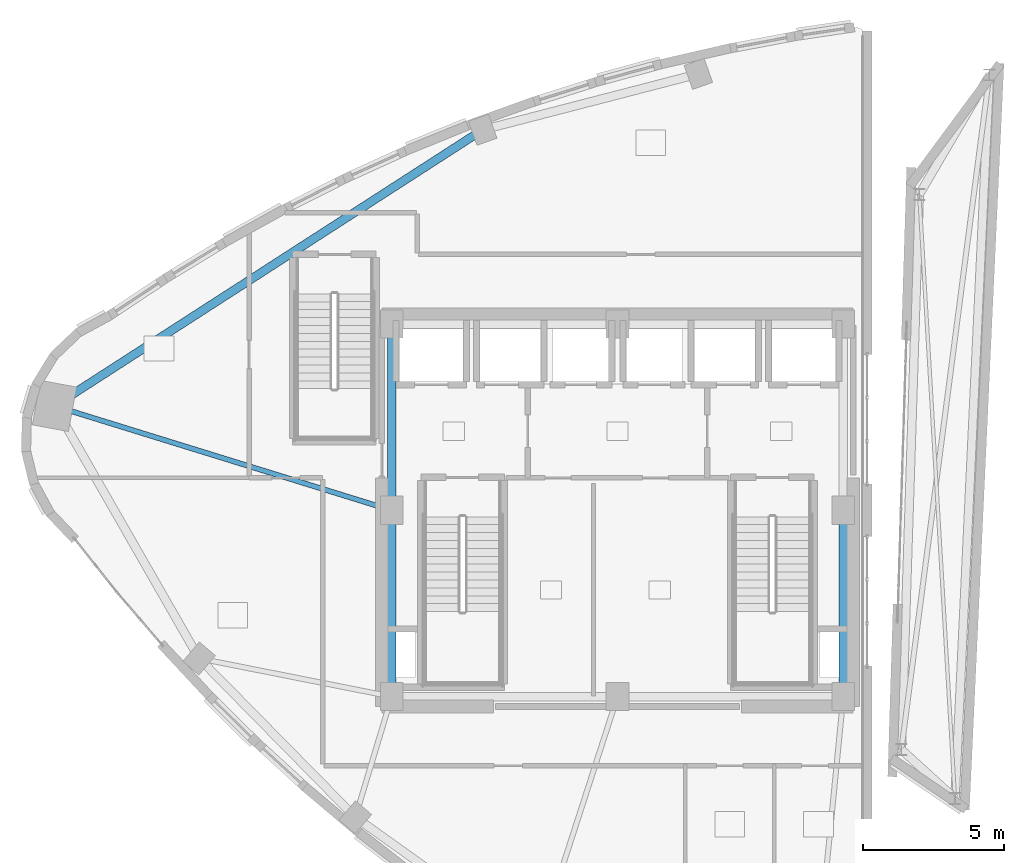
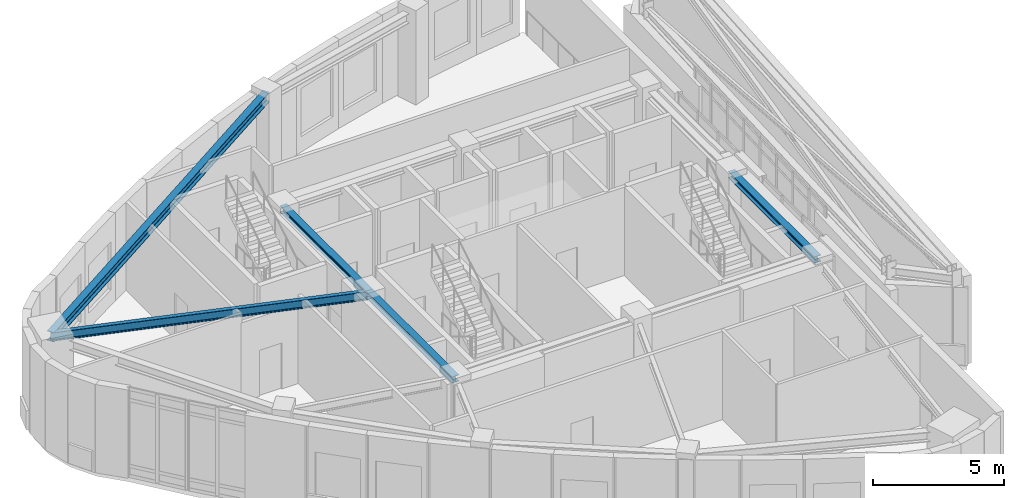
# One storey, part 6 of 19: 5 beams.
"""IFC4 building model written with IfcOpenShell, lengths in metres."""

from ifc_helpers import new_model, si_unit, direction, frame, origin, origin_2d, place, context, subcontext, project, spatial, i_section, extrude, material, material_profile, profile_set, type_object, element, save


model = new_model("IFC4")

# Units and contexts
model_context = context("Model", 3, precision=1e-05, world=origin(), true_north=direction((0.0, 1.0)))
body_context = subcontext(model_context, "Body", "Model", "MODEL_VIEW")
ifc_project = project(units=[si_unit("LENGTHUNIT", "METRE"), si_unit("AREAUNIT", "SQUARE_METRE"), si_unit("VOLUMEUNIT", "CUBIC_METRE"), si_unit("PLANEANGLEUNIT", "RADIAN"), si_unit("MASSUNIT", "GRAM", prefix="KILO")], contexts=[model_context])

# Site, building, storey
site_placement = place(None, origin())
site = spatial("IfcSite", under=ifc_project, at=site_placement, CompositionType="ELEMENT")
building_placement = place(site_placement, origin())
building = spatial("IfcBuilding", under=site, at=building_placement, Name="Ndelora Gate Hotel", CompositionType="ELEMENT")
storey_placement = place(building_placement, frame((0.0, 0.0, 294.800048828125)))
storey = spatial("IfcBuildingStorey", under=building, at=storey_placement, Name="L73", CompositionType="ELEMENT", Elevation=294.800048828125)

# Beams
ifc_material = material(Name="Steel S355", Category="steel")
ifc_material_profile_1 = material_profile(ifc_material, i_section(OverallWidth=0.300048828125, OverallDepth=0.300048828125, WebThickness=0.010986328125, FlangeThickness=0.01904296875, FilletRadius=0.027099609375, at=origin_2d()), Name="HEB 300")
ifc_profile_set_1 = profile_set([ifc_material_profile_1], Name="Steel S355")
beam_type_1 = type_object("IfcBeamType", Name="BM-CORE-300", PredefinedType="BEAM", material=ifc_profile_set_1)
for number, where, z_axis, x_axis, name in (
    (1, (-8.0, -6.60009765625, 3.97998046875), (0.0, 1.0, 0.0), (-1.0, 0.0, 0.0), "L73 Core Tie Girder CC1-CC8"),
    (2, (-8.0, 0.0, 3.97998046875), (0.0, 1.0, 0.0), (-1.0, 0.0, 0.0), "L73 Core Tie Girder CC8-CC7"),
    (3, (8.0, -6.60009765625, 3.97998046875), (0.0, 1.0, 0.0), (-1.0, 0.0, 0.0), "L73 Core Tie Girder CC3-CC4"),
):
    element("IfcBeam", number, at=place(storey_placement, frame(where, z_axis=z_axis, x_axis=x_axis)), inside=storey, type_object=beam_type_1, Name=name, PredefinedType="BEAM", context=body_context, shape_type="SweptSolid", body=[
        extrude(i_section(OverallWidth=0.300048828125, OverallDepth=0.300048828125, WebThickness=0.010986328125, FlangeThickness=0.01904296875, FilletRadius=0.027099609375, at=origin_2d()), origin(), (0.0, 0.0, 1.0), 6.60009765625),
    ])
ifc_material_profile_2 = material_profile(ifc_material, i_section(OverallWidth=0.179931640625, OverallDepth=0.39990234375, WebThickness=0.008544921875, FlangeThickness=0.013427734375, FilletRadius=0.02099609375, at=origin_2d()), Name="IPE 400")
ifc_profile_set_2 = profile_set([ifc_material_profile_2], Name="Steel S355")
beam_type_2 = type_object("IfcBeamType", Name="BM-RAD-400", PredefinedType="BEAM", material=ifc_profile_set_2)
beam_1_placement = place(storey_placement, frame((-8.0, 0.0, 3.929931640625), z_axis=(-0.955314894525, 0.295590007101, 0.0), x_axis=(-0.295590007101, -0.955314894525, 0.0)))
element("IfcBeam", 4, at=beam_1_placement, inside=storey, type_object=beam_type_2, Name="L73 structural beam FB-5", PredefinedType="BEAM", context=body_context, shape_type="SweptSolid", body=[
    extrude(i_section(OverallWidth=0.179931640625, OverallDepth=0.39990234375, WebThickness=0.008544921875, FlangeThickness=0.013427734375, FilletRadius=0.02099609375, at=origin_2d()), origin(), (0.0, 0.0, 1.0), 12.509033203125),
])
ifc_material_profile_3 = material_profile(ifc_material, i_section(OverallWidth=0.300048828125, OverallDepth=0.449951171875, WebThickness=0.013916015625, FlangeThickness=0.02587890625, FilletRadius=0.027099609375, at=origin_2d()), Name="HEB 450")
ifc_profile_set_3 = profile_set([ifc_material_profile_3], Name="Steel S355")
beam_type_3 = type_object("IfcBeamType", Name="BM-RING-450", PredefinedType="SPANDREL", material=ifc_profile_set_3)
beam_2_placement = place(storey_placement, frame((-4.7744140625, 13.482666015625, 3.905029296875), z_axis=(-0.840435702398, -0.541911275151, 0.0), x_axis=(0.541911275151, -0.840435702398, 0.0)))
element("IfcBeam", 5, at=beam_2_placement, inside=storey, type_object=beam_type_3, Name="L73 structural beam RB-5", PredefinedType="SPANDREL", context=body_context, shape_type="SweptSolid", body=[
    extrude(i_section(OverallWidth=0.300048828125, OverallDepth=0.449951171875, WebThickness=0.013916015625, FlangeThickness=0.02587890625, FilletRadius=0.027099609375, at=origin_2d()), origin(), (0.0, 0.0, 1.0), 18.056640625),
])

save(model, "model.ifc")
